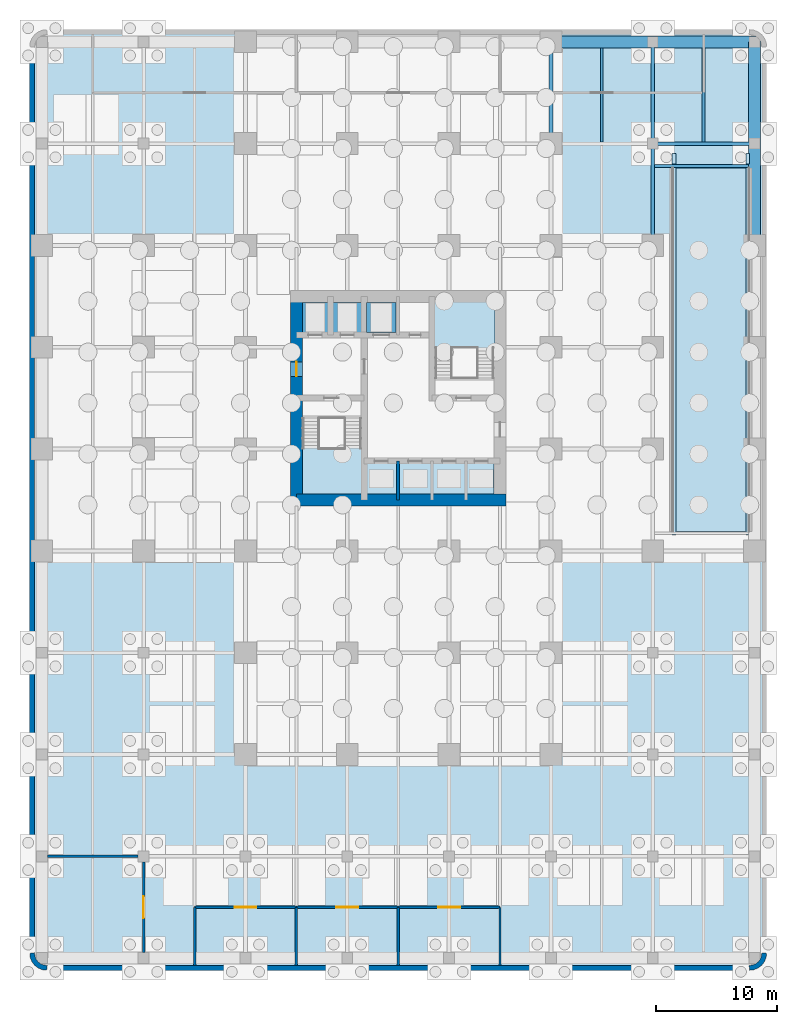
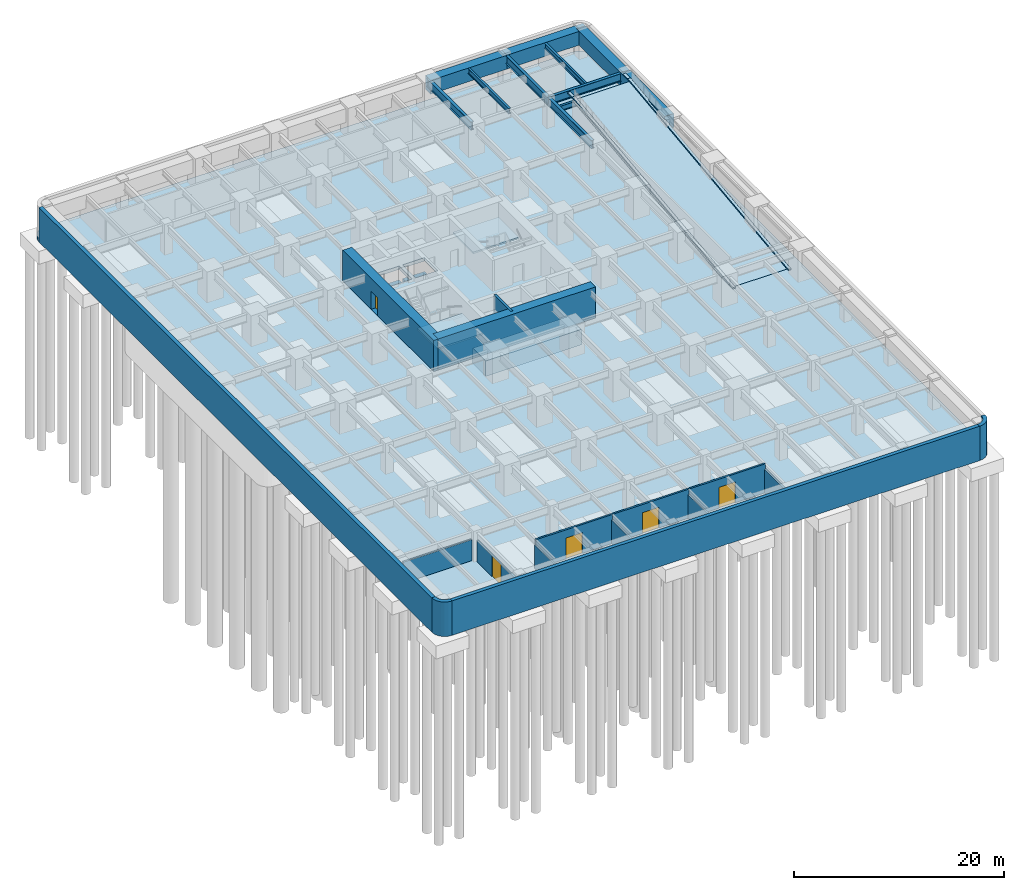
# One storey, part 5 of 11: 16 walls, 11 beams, 11 slabs, 5 doors, 5 openings, 2 elements without a shape of their own.
"""IFC4 building model written with IfcOpenShell, lengths in metres."""

from ifc_helpers import new_model, si_unit, direction, frame, frame_2d, origin, origin_2d, place, context, subcontext, project, spatial, polyline, rectangle, i_section, outline, extrude, material, layer, layer_set, material_profile, profile_set, type_object, element, fill, aggregate, save


model = new_model("IFC4")

# Units and contexts
model_context = context("Model", 3, precision=1e-05, world=origin(), true_north=direction((0.0, 1.0)))
body_context = subcontext(model_context, "Body", "Model", "MODEL_VIEW")
ifc_project = project(units=[si_unit("LENGTHUNIT", "METRE"), si_unit("AREAUNIT", "SQUARE_METRE"), si_unit("VOLUMEUNIT", "CUBIC_METRE"), si_unit("PLANEANGLEUNIT", "RADIAN"), si_unit("MASSUNIT", "GRAM", prefix="KILO")], contexts=[model_context])

# Site, building, storey
site_placement = place(None, origin())
site = spatial("IfcSite", under=ifc_project, at=site_placement, CompositionType="ELEMENT")
building_placement = place(site_placement, origin())
building = spatial("IfcBuilding", under=site, at=building_placement, Name="Torre Alcanfor", CompositionType="ELEMENT")
storey_placement = place(building_placement, frame((0.0, 0.0, -7.199951171875)))
storey = spatial("IfcBuildingStorey", under=building, at=storey_placement, Name="B2", CompositionType="ELEMENT", Elevation=-7.199951171875)

# Beams
ifc_material_1 = material(Name="Steel ASTM A992 Grade 50", Category="steel")
ifc_material_profile_1 = material_profile(ifc_material_1, i_section(OverallWidth=0.3046875, OverallDepth=0.911865234375, WebThickness=0.015869140625, FlangeThickness=0.02392578125, at=origin_2d()), Name="W36x150")
ifc_profile_set_1 = profile_set([ifc_material_profile_1], Name="Steel ASTM A992 Grade 50")
beam_type_1 = type_object("IfcBeamType", Name="Girder W36x150", PredefinedType="BEAM", material=ifc_profile_set_1)
for number, where, z_axis, x_axis, name in (
    (1, (50.39990234375, 50.39990234375, 2.89404296875), (1.0, 0.0, 0.0), (0.0, 1.0, 0.0), "Beam 7J-8J under B1"),
    (2, (42.0, 50.39990234375, 2.89404296875), (0.0, 1.0, 0.0), (-1.0, 0.0, 0.0), "Beam 6J-6K under B1"),
):
    element("IfcBeam", number, at=place(storey_placement, frame(where, z_axis=z_axis, x_axis=x_axis)), inside=storey, type_object=beam_type_1, Name=name, PredefinedType="BEAM", context=body_context, shape_type="SweptSolid", body=[
        extrude(i_section(OverallWidth=0.3046875, OverallDepth=0.911865234375, WebThickness=0.015869140625, FlangeThickness=0.02392578125, at=origin_2d()), origin(), (0.0, 0.0, 1.0), 8.400146484375),
    ])
beam_1_placement = place(storey_placement, frame((50.39990234375, 42.0, 2.89404296875), z_axis=(0.0, 1.0, 0.0), x_axis=(-1.0, 0.0, 0.0)))
element("IfcBeam", 3, at=beam_1_placement, inside=storey, type_object=beam_type_1, Name="Beam 7H-7J under B1", PredefinedType="BEAM", context=body_context, shape_type="SweptSolid", body=[
    extrude(i_section(OverallWidth=0.3046875, OverallDepth=0.911865234375, WebThickness=0.015869140625, FlangeThickness=0.02392578125, at=origin_2d()), origin(), (0.0, 0.0, 1.0), 8.39990234375),
])
beam_2_placement = place(storey_placement, frame((50.39990234375, 50.39990234375, 2.89404296875), z_axis=(0.0, 1.0, 0.0), x_axis=(-1.0, 0.0, 0.0)))
element("IfcBeam", 4, at=beam_2_placement, inside=storey, type_object=beam_type_1, Name="Beam 7J-7K under B1", PredefinedType="BEAM", context=body_context, shape_type="SweptSolid", body=[
    extrude(i_section(OverallWidth=0.3046875, OverallDepth=0.911865234375, WebThickness=0.015869140625, FlangeThickness=0.02392578125, at=origin_2d()), origin(), (0.0, 0.0, 1.0), 8.400146484375),
])
ifc_material_2 = material(Name="Concrete f'c 70 MPa", Category="concrete")
ifc_material_profile_2 = material_profile(ifc_material_2, rectangle(XDim=1.0, YDim=1.60009765625, at=origin_2d()), Name="1000x1600")
ifc_profile_set_2 = profile_set([ifc_material_profile_2], Name="Concrete f'c 70 MPa")
beam_type_2 = type_object("IfcBeamType", Name="RC perimeter beam 1000x1600", PredefinedType="BEAM", material=ifc_profile_set_2)
beam_3_placement = place(storey_placement, frame((42.0, 58.800048828125, 2.550048828125), z_axis=(1.0, 0.0, 0.0), x_axis=(0.0, 1.0, 0.0)))
element("IfcBeam", 5, at=beam_3_placement, inside=storey, type_object=beam_type_2, Name="Beam 6K-7K under B1", PredefinedType="BEAM", context=body_context, shape_type="SweptSolid", body=[
    extrude(rectangle(XDim=1.0, YDim=1.60009765625, at=origin_2d()), origin(), (0.0, 0.0, 1.0), 8.39990234375),
])
beam_4_placement = place(storey_placement, frame((50.39990234375, 58.800048828125, 2.550048828125), z_axis=(1.0, 0.0, 0.0), x_axis=(0.0, 1.0, 0.0)))
element("IfcBeam", 6, at=beam_4_placement, inside=storey, type_object=beam_type_2, Name="Beam 7K-8K under B1", PredefinedType="BEAM", context=body_context, shape_type="SweptSolid", body=[
    extrude(rectangle(XDim=1.0, YDim=1.60009765625, at=origin_2d()), origin(), (0.0, 0.0, 1.0), 8.900146484375),
])
beam_5_placement = place(storey_placement, frame((58.800048828125, 42.0, 2.550048828125), z_axis=(0.0, 1.0, 0.0), x_axis=(-1.0, 0.0, 0.0)))
element("IfcBeam", 7, at=beam_5_placement, inside=storey, type_object=beam_type_2, Name="Beam 8H-8J under B1", PredefinedType="BEAM", context=body_context, shape_type="SweptSolid", body=[
    extrude(rectangle(XDim=1.0, YDim=1.60009765625, at=origin_2d()), origin(), (0.0, 0.0, 1.0), 8.39990234375),
])
beam_6_placement = place(storey_placement, frame((58.800048828125, 50.39990234375, 2.550048828125), z_axis=(0.0, 1.0, 0.0), x_axis=(-1.0, 0.0, 0.0)))
element("IfcBeam", 8, at=beam_6_placement, inside=storey, type_object=beam_type_2, Name="Beam 8J-8K under B1", PredefinedType="BEAM", context=body_context, shape_type="SweptSolid", body=[
    extrude(rectangle(XDim=1.0, YDim=1.60009765625, at=origin_2d()), origin(), (0.0, 0.0, 1.0), 8.400146484375),
])
ifc_material_3 = material(Name="Steel ASTM A992 Grade 50", Category="steel")
ifc_material_profile_3 = material_profile(ifc_material_3, i_section(OverallWidth=0.22900390625, OverallDepth=0.612060546875, WebThickness=0.011962890625, FlangeThickness=0.01953125, at=origin_2d()), Name="W24x84")
ifc_profile_set_3 = profile_set([ifc_material_profile_3], Name="Steel ASTM A992 Grade 50")
beam_type_3 = type_object("IfcBeamType", Name="Ramp opening trimmer beam W24x84", PredefinedType="BEAM", material=ifc_profile_set_3)
beam_7_placement = place(storey_placement, frame((50.552001953125, 48.550048828125, 3.0439453125), z_axis=(1.0, 0.0, 0.0), x_axis=(0.0, 1.0, 0.0)))
element("IfcBeam", 9, at=beam_7_placement, inside=storey, type_object=beam_type_3, Name="Beam 748_55-848_55 under B1", PredefinedType="BEAM", context=body_context, shape_type="SweptSolid", body=[
    extrude(i_section(OverallWidth=0.22900390625, OverallDepth=0.612060546875, WebThickness=0.011962890625, FlangeThickness=0.01953125, at=origin_2d()), origin(), (0.0, 0.0, 1.0), 7.748046875),
])
ifc_material_4 = material(Name="Steel ASTM A992 Grade 50", Category="steel")
ifc_material_profile_4 = material_profile(ifc_material_4, i_section(OverallWidth=0.22900390625, OverallDepth=0.612060546875, WebThickness=0.011962890625, FlangeThickness=0.01953125, at=origin_2d()), Name="W24x84")
ifc_profile_set_4 = profile_set([ifc_material_profile_4], Name="Steel ASTM A992 Grade 50")
beam_type_4 = type_object("IfcBeamType", Name="Secondary beam W24x84", PredefinedType="BEAM", material=ifc_profile_set_4)
for number, where, z_axis, x_axis, name in (
    (10, (46.199951171875, 50.552001953125, 3.0439453125), (0.0, 1.0, 0.0), (-1.0, 0.0, 0.0), "Beam 46_2J-46_2K under B1"),
    (11, (54.60009765625, 50.552001953125, 3.0439453125), (0.0, 1.0, 0.0), (-1.0, 0.0, 0.0), "Beam 54_6J-54_6K under B1"),
):
    element("IfcBeam", number, at=place(storey_placement, frame(where, z_axis=z_axis, x_axis=x_axis)), inside=storey, type_object=beam_type_4, Name=name, PredefinedType="BEAM", context=body_context, shape_type="SweptSolid", body=[
        extrude(i_section(OverallWidth=0.22900390625, OverallDepth=0.612060546875, WebThickness=0.011962890625, FlangeThickness=0.01953125, at=origin_2d()), origin(), (0.0, 0.0, 1.0), 7.748046875),
    ])

# Slabs
ifc_material_5 = material(Name="Concrete f'c 40 MPa", Category="concrete")
ifc_layer_1 = layer(ifc_material_5, 0.39990234375)
ifc_layer_set_1 = layer_set([ifc_layer_1], Name="Base slab 400")
slab_type_1 = type_object("IfcSlabType", Name="Base slab 400", PredefinedType="BASESLAB", material=ifc_layer_set_1)
slab_1_placement = place(storey_placement, frame((0.0, 0.0, -0.400146484375)))
element("IfcSlab", 12, at=slab_1_placement, inside=storey, type_object=slab_type_1, Name="Base slab B2", PredefinedType="BASESLAB", context=body_context, shape_type="SweptSolid", body=[
    extrude(outline(polyline([(58.39990234375, -17.800048828125), (58.76220703125, -17.752197265625), (59.10009765625, -17.6123046875), (59.389892578125, -17.389892578125), (59.6123046875, -17.10009765625), (59.752197265625, -16.76220703125), (59.800048828125, -16.39990234375), (59.800048828125, 58.39990234375), (59.752197265625, 58.76220703125), (59.6123046875, 59.10009765625), (59.389892578125, 59.389892578125), (59.10009765625, 59.6123046875), (58.76220703125, 59.752197265625), (58.39990234375, 59.800048828125), (0.39990234375, 59.800048828125), (0.03759765625, 59.752197265625), (-0.300048828125, 59.6123046875), (-0.58984375, 59.389892578125), (-0.8125, 59.10009765625), (-0.952392578125, 58.76220703125), (-1.0, 58.39990234375), (-1.0, -16.39990234375), (-0.952392578125, -16.76220703125), (-0.8125, -17.10009765625), (-0.58984375, -17.389892578125), (-0.300048828125, -17.6123046875), (0.03759765625, -17.752197265625), (0.39990234375, -17.800048828125), (58.39990234375, -17.800048828125)]), holes=[polyline([(26.800048828125, 21.5), (37.300048828125, 21.5), (37.300048828125, 24.0), (26.800048828125, 24.0), (26.800048828125, 21.5)]), polyline([(21.5, 34.800048828125), (26.39990234375, 34.800048828125), (26.39990234375, 37.300048828125), (21.5, 37.300048828125), (21.5, 34.800048828125)]), polyline([(26.800048828125, 34.800048828125), (29.199951171875, 34.800048828125), (29.199951171875, 37.300048828125), (26.800048828125, 37.300048828125), (26.800048828125, 34.800048828125)])]), origin(), (0.0, 0.0, 1.0), 0.400146484375),
])
ifc_material_6 = material(Name="Concrete f'c 35 MPa", Category="concrete")
ifc_layer_2 = layer(ifc_material_6, 0.25)
ifc_layer_set_2 = layer_set([ifc_layer_2], Name="Concrete f'c 35 MPa")
slab_type_2 = type_object("IfcSlabType", Name="Car park ramp flight 250", PredefinedType="USERDEFINED", material=ifc_layer_set_2)
slab_2_placement = place(storey_placement, frame((52.0, 18.39990234375, 0.0), z_axis=(0.0, -0.119140441403, 0.992877411981), x_axis=(1.0, 0.0, 0.0)))
element("IfcSlab", 13, at=slab_2_placement, inside=storey, type_object=slab_type_2, Name="Car park ramp R2 flight", ObjectType="RAMP SLAB", PredefinedType="USERDEFINED", context=body_context, shape_type="SweptSolid", body=[
    extrude(outline(polyline([(0.0, 0.0), (6.39990234375, 0.0), (6.39990234375, 30.215210496270874), (0.0, 30.215210496270874), (0.0, 0.0)])), origin(), (0.0, 0.0, -1.0), 0.25),
])
ifc_material_7 = material(Name="Concrete f'c 45 MPa", Category="concrete")
ifc_layer_3 = layer(ifc_material_7, 1.800048828125)
ifc_layer_set_3 = layer_set([ifc_layer_3], Name="Lift pit base 1800")
slab_type_3 = type_object("IfcSlabType", Name="Lift pit base 1800", PredefinedType="BASESLAB", material=ifc_layer_set_3)
slab_3_placement = place(storey_placement, frame((0.0, 0.0, -3.400146484375)))
element("IfcSlab", 14, at=slab_3_placement, inside=storey, type_object=slab_type_3, Name="Lift pit base PA", PredefinedType="BASESLAB", context=body_context, shape_type="SweptSolid", body=[
    extrude(outline(polyline([(26.800048828125, 21.5), (37.300048828125, 21.5), (37.300048828125, 24.0), (26.800048828125, 24.0), (26.800048828125, 21.5)])), origin(), (0.0, 0.0, 1.0), 1.800048828125),
])
slab_4_placement = place(storey_placement, frame((0.0, 0.0, -3.400146484375)))
element("IfcSlab", 15, at=slab_4_placement, inside=storey, type_object=slab_type_3, Name="Lift pit base FL", PredefinedType="BASESLAB", context=body_context, shape_type="SweptSolid", body=[
    extrude(outline(polyline([(21.5, 34.800048828125), (26.39990234375, 34.800048828125), (26.39990234375, 37.300048828125), (21.5, 37.300048828125), (21.5, 34.800048828125)])), origin(), (0.0, 0.0, 1.0), 1.800048828125),
])
slab_5_placement = place(storey_placement, frame((0.0, 0.0, -3.400146484375)))
element("IfcSlab", 16, at=slab_5_placement, inside=storey, type_object=slab_type_3, Name="Lift pit base SL", PredefinedType="BASESLAB", context=body_context, shape_type="SweptSolid", body=[
    extrude(outline(polyline([(26.800048828125, 34.800048828125), (29.199951171875, 34.800048828125), (29.199951171875, 37.300048828125), (26.800048828125, 37.300048828125), (26.800048828125, 34.800048828125)])), origin(), (0.0, 0.0, 1.0), 1.800048828125),
])
ifc_material_8 = material(Name="Concrete f'c 35 MPa", Category="concrete")
ifc_layer_4 = layer(ifc_material_8, 0.14990234375)
ifc_layer_set_4 = layer_set([ifc_layer_4], Name="Concrete f'c 35 MPa")
slab_type_4 = type_object("IfcSlabType", Name="Ramp kerb walkway 300x150", PredefinedType="USERDEFINED", material=ifc_layer_set_4)
slab_6_placement = place(storey_placement, frame((52.14990234375, 18.10009765625, 0.0), z_axis=(0.0, 0.0, 1.0), x_axis=(0.0, 1.0, 0.0)))
element("IfcSlab", 17, at=slab_6_placement, inside=storey, type_object=slab_type_4, Name="Car park ramp R2 kerb walkway west", ObjectType="KERB WALKWAY", PredefinedType="USERDEFINED", context=body_context, shape_type="SweptSolid", body=[
    extrude(outline(polyline([(0.0, 0.0), (0.300048828125, 0.0), (30.300048828125, 3.599853515625), (30.60009765625, 3.599853515625), (30.60009765625, 3.75), (30.300048828125, 3.75), (0.300048828125, 0.14990234375), (0.0, 0.14990234375), (0.0, 0.0)])), frame((0.0, 0.14990234375, 0.0), z_axis=(0.0, -1.0, 0.0), x_axis=(1.0, 0.0, 0.0)), (0.0, 0.0, 1.0), 0.300048828125),
])
slab_7_placement = place(storey_placement, frame((52.0, 48.699951171875, 3.75), z_axis=(0.0, 0.0, 1.0), x_axis=(1.0, 0.0, 0.0)))
element("IfcSlab", 18, at=slab_7_placement, inside=storey, type_object=slab_type_4, Name="Car park ramp R2 kerb walkway west head", ObjectType="KERB WALKWAY", PredefinedType="USERDEFINED", context=body_context, shape_type="SweptSolid", body=[
    extrude(outline(polyline([(0.0, 0.0), (0.300048828125, 0.0), (0.300048828125, 0.900146484375), (0.0, 0.900146484375), (0.0, 0.0)])), origin(), (0.0, 0.0, -1.0), 0.14990234375),
])
slab_8_placement = place(storey_placement, frame((58.25, 18.10009765625, 0.0), z_axis=(0.0, 0.0, 1.0), x_axis=(0.0, 1.0, 0.0)))
element("IfcSlab", 19, at=slab_8_placement, inside=storey, type_object=slab_type_4, Name="Car park ramp R2 kerb walkway east", ObjectType="KERB WALKWAY", PredefinedType="USERDEFINED", context=body_context, shape_type="SweptSolid", body=[
    extrude(outline(polyline([(0.0, 0.0), (0.300048828125, 0.0), (30.300048828125, 3.599853515625), (30.60009765625, 3.599853515625), (30.60009765625, 3.75), (30.300048828125, 3.75), (0.300048828125, 0.14990234375), (0.0, 0.14990234375), (0.0, 0.0)])), frame((0.0, 0.14990234375, 0.0), z_axis=(0.0, -1.0, 0.0), x_axis=(1.0, 0.0, 0.0)), (0.0, 0.0, 1.0), 0.300048828125),
])
slab_9_placement = place(storey_placement, frame((58.10009765625, 48.699951171875, 3.75), z_axis=(0.0, 0.0, 1.0), x_axis=(1.0, 0.0, 0.0)))
element("IfcSlab", 20, at=slab_9_placement, inside=storey, type_object=slab_type_4, Name="Car park ramp R2 kerb walkway east head", ObjectType="KERB WALKWAY", PredefinedType="USERDEFINED", context=body_context, shape_type="SweptSolid", body=[
    extrude(outline(polyline([(0.0, 0.0), (0.2998046875, 0.0), (0.2998046875, 0.900146484375), (0.0, 0.900146484375), (0.0, 0.0)])), origin(), (0.0, 0.0, -1.0), 0.14990234375),
])

# Stair, slab
ifc_material_9 = material(Name="Concrete f'c 35 MPa", Category="concrete")
stair_type_1 = type_object("IfcStairType", Name="Exit stair S1 1400 wide", PredefinedType="HALF_TURN_STAIR", material=ifc_material_9)
stair_1_placement = place(storey_placement, origin())
stair_1 = element("IfcStair", 21, at=stair_1_placement, inside=storey, type_object=stair_type_1, Name="Stair S1 B2 to B1", PredefinedType="HALF_TURN_STAIR")
ifc_material_10 = material(Name="Concrete f'c 35 MPa", Category="concrete")
ifc_layer_5 = layer(ifc_material_10, 0.199951171875)
ifc_layer_set_5 = layer_set([ifc_layer_5], Name="Stair landing 200")
slab_type_5 = type_object("IfcSlabType", Name="Stair landing 200", PredefinedType="LANDING", material=ifc_layer_set_5)
slab_10_placement = place(storey_placement, frame((0.0, 0.0, 1.599853515625)))
slab_10 = element("IfcSlab", 22, at=slab_10_placement, type_object=slab_type_5, Name="S1 landing 1", PredefinedType="LANDING", context=body_context, shape_type="SweptSolid", body=[
    extrude(outline(polyline([(21.419921875, 21.419921875), (26.429931640625, 21.419921875), (26.429931640625, 25.280029296875), (21.419921875, 25.280029296875), (21.419921875, 21.419921875)])), origin(), (0.0, 0.0, 1.0), 0.2001953125),
])
aggregate(stair_1, [slab_10])

ifc_material_11 = material(Name="Concrete f'c 35 MPa", Category="concrete")
stair_type_2 = type_object("IfcStairType", Name="Exit stair S2 1400 wide", PredefinedType="HALF_TURN_STAIR", material=ifc_material_11)
stair_2_placement = place(storey_placement, origin())
stair_2 = element("IfcStair", 23, at=stair_2_placement, inside=storey, type_object=stair_type_2, Name="Stair S2 B2 to B1", PredefinedType="HALF_TURN_STAIR")
slab_11_placement = place(storey_placement, frame((0.0, 0.0, 1.599853515625)))
slab_11 = element("IfcSlab", 24, at=slab_11_placement, type_object=slab_type_5, Name="S2 landing 1", PredefinedType="LANDING", context=body_context, shape_type="SweptSolid", body=[
    extrude(outline(polyline([(32.3701171875, 33.52001953125), (37.3798828125, 33.52001953125), (37.3798828125, 37.3798828125), (32.3701171875, 37.3798828125), (32.3701171875, 33.52001953125)])), origin(), (0.0, 0.0, 1.0), 0.2001953125),
])
aggregate(stair_2, [slab_11])

# Walls
ifc_material_12 = material(Name="Concrete f'c 70 MPa", Category="concrete")
ifc_layer_6 = layer(ifc_material_12, 0.39990234375)
ifc_layer_set_6 = layer_set([ifc_layer_6], Name="Basement retaining wall 400")
wall_type_1 = type_object("IfcWallType", Name="Basement retaining wall 400", PredefinedType="SOLIDWALL", material=ifc_layer_set_6)
wall_1_placement = place(storey_placement, frame((-0.800048828125, 58.39990234375, -0.400146484375), z_axis=(0.0, 0.0, 1.0), x_axis=(0.0, -1.0, 0.0)))
element("IfcWall", 25, at=wall_1_placement, inside=storey, type_object=wall_type_1, Name="Retaining wall B2 3", PredefinedType="SOLIDWALL", context=body_context, shape_type="SweptSolid", body=[
    extrude(rectangle(XDim=74.7998046875, YDim=0.39990234375, at=frame_2d((37.39990234375, 0.0))), origin(), (0.0, 0.0, 1.0), 4.0),
])
wall_2_placement = place(storey_placement, frame((0.39990234375, -17.60009765625, -0.400146484375), z_axis=(0.0, 0.0, 1.0), x_axis=(1.0, 0.0, 0.0)))
element("IfcWall", 26, at=wall_2_placement, inside=storey, type_object=wall_type_1, Name="Retaining wall B2 4", PredefinedType="SOLIDWALL", context=body_context, shape_type="SweptSolid", body=[
    extrude(rectangle(XDim=58.0, YDim=0.39990234375, at=frame_2d((29.0, 0.0))), origin(), (0.0, 0.0, 1.0), 4.0),
])
wall_3_placement = place(storey_placement, frame((0.0, 0.0, -0.400146484375)))
element("IfcWall", 27, at=wall_3_placement, inside=storey, type_object=wall_type_1, Name="Retaining wall corner B2 7", PredefinedType="SOLIDWALL", context=body_context, shape_type="SweptSolid", body=[
    extrude(outline(polyline([(0.39990234375, -17.800048828125), (0.45263671875, -17.39990234375), (0.42626953125, -17.39990234375), (0.14208984375, -17.362548828125), (-0.09814453125, -17.262939453125), (-0.3046875, -17.1044921875), (-0.462890625, -16.898193359375), (-0.5625, -16.657958984375), (-0.60009765625, -16.373779296875), (-0.60009765625, -16.347412109375), (-1.0, -16.39990234375), (-0.952392578125, -16.76220703125), (-0.8125, -17.10009765625), (-0.58984375, -17.389892578125), (-0.300048828125, -17.6123046875), (0.03759765625, -17.752197265625), (0.39990234375, -17.800048828125)])), origin(), (0.0, 0.0, 1.0), 4.0),
])
wall_4_placement = place(storey_placement, frame((0.0, 0.0, -0.400146484375)))
element("IfcWall", 28, at=wall_4_placement, inside=storey, type_object=wall_type_1, Name="Retaining wall corner B2 8", PredefinedType="SOLIDWALL", context=body_context, shape_type="SweptSolid", body=[
    extrude(outline(polyline([(59.800048828125, -16.39990234375), (59.39990234375, -16.347412109375), (59.39990234375, -16.373779296875), (59.362548828125, -16.657958984375), (59.262939453125, -16.898193359375), (59.1044921875, -17.1044921875), (58.898193359375, -17.262939453125), (58.657958984375, -17.362548828125), (58.373779296875, -17.39990234375), (58.347412109375, -17.39990234375), (58.39990234375, -17.800048828125), (58.76220703125, -17.752197265625), (59.10009765625, -17.6123046875), (59.389892578125, -17.389892578125), (59.6123046875, -17.10009765625), (59.752197265625, -16.76220703125), (59.800048828125, -16.39990234375)])), origin(), (0.0, 0.0, 1.0), 4.0),
])
ifc_material_13 = material(Name="Concrete f'c 70 MPa", Category="concrete")
ifc_layer_7 = layer(ifc_material_13, 0.25)
ifc_layer_set_7 = layer_set([ifc_layer_7], Name="Core shaft wall 250 f'c70")
wall_type_2 = type_object("IfcWallType", Name="Core shaft wall 250 f'c70", PredefinedType="SHEAR", material=ifc_layer_set_7)
wall_5_placement = place(storey_placement, frame((29.39990234375, 21.0, -0.400146484375), z_axis=(0.0, 0.0, 1.0), x_axis=(0.0, 1.0, 0.0)))
element("IfcWall", 29, at=wall_5_placement, inside=storey, type_object=wall_type_2, Name="Core wall X294S B2", PredefinedType="SHEAR", context=body_context, shape_type="SweptSolid", body=[
    extrude(rectangle(XDim=3.199951171875, YDim=0.25, at=frame_2d((1.60009765625, 0.0))), origin(), (0.0, 0.0, 1.0), 4.0),
])
ifc_material_14 = material(Name="Concrete f'c 70 MPa", Category="concrete")
ifc_layer_8 = layer(ifc_material_14, 1.0)
ifc_layer_set_8 = layer_set([ifc_layer_8], Name="Core wall 1000 f'c70")
wall_type_3 = type_object("IfcWallType", Name="Core wall 1000 f'c70", PredefinedType="SHEAR", material=ifc_layer_set_8)
wall_6_placement = place(storey_placement, frame((21.0, 21.0, -0.400146484375), z_axis=(0.0, 0.0, 1.0), x_axis=(1.0, 0.0, 0.0)))
element("IfcWall", 30, at=wall_6_placement, inside=storey, type_object=wall_type_3, Name="Core wall OUT-S B2", PredefinedType="SHEAR", context=body_context, shape_type="SweptSolid", body=[
    extrude(rectangle(XDim=17.300048828125, YDim=1.0, at=frame_2d((8.64990234375, 0.0))), origin(), (0.0, 0.0, 1.0), 4.0),
])

# Wall, opening, door
wall_7_placement = place(storey_placement, frame((21.0, 37.800048828125, -0.400146484375), z_axis=(0.0, 0.0, 1.0), x_axis=(0.0, -1.0, 0.0)))
wall_7 = element("IfcWall", 31, at=wall_7_placement, inside=storey, type_object=wall_type_3, Name="Core wall OUT-W B2", PredefinedType="SHEAR", context=body_context, shape_type="SweptSolid", body=[
    extrude(rectangle(XDim=17.300048828125, YDim=1.0, at=frame_2d((8.64990234375, 0.0))), origin(), (0.0, 0.0, 1.0), 4.0),
])
opening_1_placement = place(wall_7_placement, frame((5.39990234375, 0.0, 0.39990234375)))
opening_1 = element("IfcOpeningElement", 32, at=opening_1_placement, cuts=wall_7, Name="Opening D-L1", PredefinedType="OPENING", context=body_context, shape_type="SweptSolid", body=[
    extrude(rectangle(XDim=1.199951171875, YDim=2.10009765625, at=frame_2d((0.60009765625, 1.050048828125))), frame((0.0, 0.510009765625, 0.0), z_axis=(0.0, -1.0, 0.0), x_axis=(1.0, 0.0, 0.0)), (0.0, 0.0, 1.0), 1.02001953125),
])
ifc_material_15 = material(Name="Galvanised steel sheet ASTM A653", Category="steel")
door_type_1 = type_object("IfcDoorType", Name="Lobby door FD120 1200x2100", OperationType="SINGLE_SWING_LEFT", PredefinedType="DOOR", material=ifc_material_15)
door_1_placement = place(opening_1_placement, origin())
door_1 = element("IfcDoor", 33, at=door_1_placement, inside=storey, type_object=door_type_1, Name="Firefighting lobby door B2", OperationType="SINGLE_SWING_LEFT", OverallHeight=2.10009765625, OverallWidth=1.199951171875, PredefinedType="DOOR", context=body_context, shape_type="SweptSolid", body=[
    extrude(rectangle(XDim=1.199951171875, YDim=2.10009765625, at=frame_2d((0.60009765625, 1.050048828125))), frame((0.0, 0.02490234375, 0.0), z_axis=(0.0, -1.0, 0.0), x_axis=(1.0, 0.0, 0.0)), (0.0, 0.0, 1.0), 0.050048828125),
])
fill(opening_1, door_1)

# Wall
ifc_material_16 = material(Name="Concrete block masonry, hollow blocks NMX-C-404 9 MPa", Category="masonry")
ifc_layer_9 = layer(ifc_material_16, 0.199951171875)
ifc_layer_set_9 = layer_set([ifc_layer_9], Name="Plant room wall 200 EI 60")
wall_type_4 = type_object("IfcWallType", Name="Plant room wall 200 EI 60", PredefinedType="PARTITIONING", material=ifc_layer_set_9)
wall_8_placement = place(storey_placement, frame((7.949951171875, -8.39990234375, 0.0), z_axis=(0.0, 0.0, 1.0), x_axis=(-1.0, 0.0, 0.0)))
element("IfcWall", 34, at=wall_8_placement, inside=storey, type_object=wall_type_4, Name="Partition B2-PARK / B2-PUMP", PredefinedType="PARTITIONING", context=body_context, shape_type="SweptSolid", body=[
    extrude(rectangle(XDim=7.5, YDim=0.199951171875, at=frame_2d((3.75, 0.0))), origin(), (0.0, 0.0, 1.0), 2.43798828125),
])

# Wall, opening, door
wall_9_placement = place(storey_placement, frame((8.39990234375, -16.35009765625, 0.0), z_axis=(0.0, 0.0, 1.0), x_axis=(0.0, 1.0, 0.0)))
wall_9 = element("IfcWall", 35, at=wall_9_placement, inside=storey, type_object=wall_type_4, Name="Partition B2-PARK / B2-PUMP", PredefinedType="PARTITIONING", context=body_context, shape_type="SweptSolid", body=[
    extrude(rectangle(XDim=7.5, YDim=0.199951171875, at=frame_2d((3.75, 0.0))), origin(), (0.0, 0.0, 1.0), 2.43798828125),
])
opening_2_placement = place(wall_9_placement, frame((2.85009765625, 0.0, 0.0)))
opening_2 = element("IfcOpeningElement", 36, at=opening_2_placement, cuts=wall_9, Name="Opening D-P1", PredefinedType="OPENING", context=body_context, shape_type="SweptSolid", body=[
    extrude(rectangle(XDim=1.800048828125, YDim=2.39990234375, at=frame_2d((0.89990234375, 1.199951171875))), frame((0.0, 0.10986328125, 0.0), z_axis=(0.0, -1.0, 0.0), x_axis=(1.0, 0.0, 0.0)), (0.0, 0.0, 1.0), 0.219970703125),
])
ifc_material_17 = material(Name="Galvanised steel sheet ASTM A653", Category="steel")
door_type_2 = type_object("IfcDoorType", Name="Plant room door FD60 1800x2400", OperationType="DOUBLE_DOOR_SINGLE_SWING", PredefinedType="DOOR", material=ifc_material_17)
door_2_placement = place(opening_2_placement, origin())
door_2 = element("IfcDoor", 37, at=door_2_placement, inside=storey, type_object=door_type_2, Name="Door B2-PUMP pump room and fire water tanks", OperationType="DOUBLE_DOOR_SINGLE_SWING", OverallHeight=2.39990234375, OverallWidth=1.800048828125, PredefinedType="DOOR", context=body_context, shape_type="SweptSolid", body=[
    extrude(rectangle(XDim=1.800048828125, YDim=2.39990234375, at=frame_2d((0.89990234375, 1.199951171875))), frame((0.0, 0.02490234375, 0.0), z_axis=(0.0, -1.0, 0.0), x_axis=(1.0, 0.0, 0.0)), (0.0, 0.0, 1.0), 0.050048828125),
])
fill(opening_2, door_2)

wall_10_placement = place(storey_placement, frame((21.0, -12.60009765625, 0.0), z_axis=(0.0, 0.0, 1.0), x_axis=(-1.0, 0.0, 0.0)))
wall_10 = element("IfcWall", 38, at=wall_10_placement, inside=storey, type_object=wall_type_4, Name="Partition B2-PARK / B2-R01", PredefinedType="PARTITIONING", context=body_context, shape_type="SweptSolid", body=[
    extrude(rectangle(XDim=8.39990234375, YDim=0.199951171875, at=frame_2d((4.199951171875, 0.0))), origin(), (0.0, 0.0, 1.0), 3.349853515625),
])
opening_3_placement = place(wall_10_placement, frame((3.300048828125, 0.0, 0.0)))
opening_3 = element("IfcOpeningElement", 39, at=opening_3_placement, cuts=wall_10, Name="Opening D-P1", PredefinedType="OPENING", context=body_context, shape_type="SweptSolid", body=[
    extrude(rectangle(XDim=1.800048828125, YDim=2.39990234375, at=frame_2d((0.89990234375, 1.199951171875))), frame((0.0, 0.10986328125, 0.0), z_axis=(0.0, -1.0, 0.0), x_axis=(1.0, 0.0, 0.0)), (0.0, 0.0, 1.0), 0.219970703125),
])
door_3_placement = place(opening_3_placement, origin())
door_3 = element("IfcDoor", 40, at=door_3_placement, inside=storey, type_object=door_type_2, Name="Door B2-R01 domestic water break tank and booster pump room", OperationType="DOUBLE_DOOR_SINGLE_SWING", OverallHeight=2.39990234375, OverallWidth=1.800048828125, PredefinedType="DOOR", context=body_context, shape_type="SweptSolid", body=[
    extrude(rectangle(XDim=1.800048828125, YDim=2.39990234375, at=frame_2d((0.89990234375, 1.199951171875))), frame((0.0, 0.02490234375, 0.0), z_axis=(0.0, -1.0, 0.0), x_axis=(1.0, 0.0, 0.0)), (0.0, 0.0, 1.0), 0.050048828125),
])
fill(opening_3, door_3)

# Wall
wall_11_placement = place(storey_placement, frame((12.60009765625, -12.60009765625, 0.0), z_axis=(0.0, 0.0, 1.0), x_axis=(0.0, -1.0, 0.0)))
element("IfcWall", 41, at=wall_11_placement, inside=storey, type_object=wall_type_4, Name="Partition B2-PARK / B2-R01", PredefinedType="PARTITIONING", context=body_context, shape_type="SweptSolid", body=[
    extrude(rectangle(XDim=4.7998046875, YDim=0.199951171875, at=frame_2d((2.39990234375, 0.0))), origin(), (0.0, 0.0, 1.0), 2.73779296875),
])

# Wall, opening, door
wall_12_placement = place(storey_placement, frame((29.39990234375, -12.60009765625, 0.0), z_axis=(0.0, 0.0, 1.0), x_axis=(-1.0, 0.0, 0.0)))
wall_12 = element("IfcWall", 42, at=wall_12_placement, inside=storey, type_object=wall_type_4, Name="Partition B2-PARK / B2-R02", PredefinedType="PARTITIONING", context=body_context, shape_type="SweptSolid", body=[
    extrude(rectangle(XDim=8.39990234375, YDim=0.199951171875, at=frame_2d((4.199951171875, 0.0))), origin(), (0.0, 0.0, 1.0), 3.349853515625),
])
opening_4_placement = place(wall_12_placement, frame((3.300048828125, 0.0, 0.0)))
opening_4 = element("IfcOpeningElement", 43, at=opening_4_placement, cuts=wall_12, Name="Opening D-P1", PredefinedType="OPENING", context=body_context, shape_type="SweptSolid", body=[
    extrude(rectangle(XDim=1.800048828125, YDim=2.39990234375, at=frame_2d((0.89990234375, 1.199951171875))), frame((0.0, 0.10986328125, 0.0), z_axis=(0.0, -1.0, 0.0), x_axis=(1.0, 0.0, 0.0)), (0.0, 0.0, 1.0), 0.219970703125),
])
door_4_placement = place(opening_4_placement, origin())
door_4 = element("IfcDoor", 44, at=door_4_placement, inside=storey, type_object=door_type_2, Name="Door B2-R02 greywater treatment room", OperationType="DOUBLE_DOOR_SINGLE_SWING", OverallHeight=2.39990234375, OverallWidth=1.800048828125, PredefinedType="DOOR", context=body_context, shape_type="SweptSolid", body=[
    extrude(rectangle(XDim=1.800048828125, YDim=2.39990234375, at=frame_2d((0.89990234375, 1.199951171875))), frame((0.0, 0.02490234375, 0.0), z_axis=(0.0, -1.0, 0.0), x_axis=(1.0, 0.0, 0.0)), (0.0, 0.0, 1.0), 0.050048828125),
])
fill(opening_4, door_4)

# Wall
wall_13_placement = place(storey_placement, frame((37.800048828125, -17.39990234375, 0.0), z_axis=(0.0, 0.0, 1.0), x_axis=(0.0, 1.0, 0.0)))
element("IfcWall", 45, at=wall_13_placement, inside=storey, type_object=wall_type_4, Name="Partition B2-PARK / B2-R03", PredefinedType="PARTITIONING", context=body_context, shape_type="SweptSolid", body=[
    extrude(rectangle(XDim=4.7998046875, YDim=0.199951171875, at=frame_2d((2.39990234375, 0.0))), origin(), (0.0, 0.0, 1.0), 2.73779296875),
])

# Wall, opening, door
wall_14_placement = place(storey_placement, frame((37.800048828125, -12.60009765625, 0.0), z_axis=(0.0, 0.0, 1.0), x_axis=(-1.0, 0.0, 0.0)))
wall_14 = element("IfcWall", 46, at=wall_14_placement, inside=storey, type_object=wall_type_4, Name="Partition B2-PARK / B2-R03", PredefinedType="PARTITIONING", context=body_context, shape_type="SweptSolid", body=[
    extrude(rectangle(XDim=8.400146484375, YDim=0.199951171875, at=frame_2d((4.2001953125, 0.0))), origin(), (0.0, 0.0, 1.0), 3.349853515625),
])
opening_5_placement = place(wall_14_placement, frame((3.300048828125, 0.0, 0.0)))
opening_5 = element("IfcOpeningElement", 47, at=opening_5_placement, cuts=wall_14, Name="Opening D-P1", PredefinedType="OPENING", context=body_context, shape_type="SweptSolid", body=[
    extrude(rectangle(XDim=1.800048828125, YDim=2.39990234375, at=frame_2d((0.89990234375, 1.199951171875))), frame((0.0, 0.10986328125, 0.0), z_axis=(0.0, -1.0, 0.0), x_axis=(1.0, 0.0, 0.0)), (0.0, 0.0, 1.0), 0.219970703125),
])
door_5_placement = place(opening_5_placement, origin())
door_5 = element("IfcDoor", 48, at=door_5_placement, inside=storey, type_object=door_type_2, Name="Door B2-R03 sump pump room", OperationType="DOUBLE_DOOR_SINGLE_SWING", OverallHeight=2.39990234375, OverallWidth=1.800048828125, PredefinedType="DOOR", context=body_context, shape_type="SweptSolid", body=[
    extrude(rectangle(XDim=1.800048828125, YDim=2.39990234375, at=frame_2d((0.89990234375, 1.199951171875))), frame((0.0, 0.02490234375, 0.0), z_axis=(0.0, -1.0, 0.0), x_axis=(1.0, 0.0, 0.0)), (0.0, 0.0, 1.0), 0.050048828125),
])
fill(opening_5, door_5)

# Walls
for number, where, z_axis, x_axis, name in (
    (49, (21.0, -12.60009765625, 0.0), (0.0, 0.0, 1.0), (0.0, -1.0, 0.0), "Partition B2-R01 / B2-R02"),
    (50, (29.39990234375, -12.60009765625, 0.0), (0.0, 0.0, 1.0), (0.0, -1.0, 0.0), "Partition B2-R02 / B2-R03"),
):
    element("IfcWall", number, at=place(storey_placement, frame(where, z_axis=z_axis, x_axis=x_axis)), inside=storey, type_object=wall_type_4, Name=name, PredefinedType="PARTITIONING", context=body_context, shape_type="SweptSolid", body=[
        extrude(rectangle(XDim=4.7998046875, YDim=0.199951171875, at=frame_2d((2.39990234375, 0.0))), origin(), (0.0, 0.0, 1.0), 2.73779296875),
    ])

save(model, "model.ifc")
